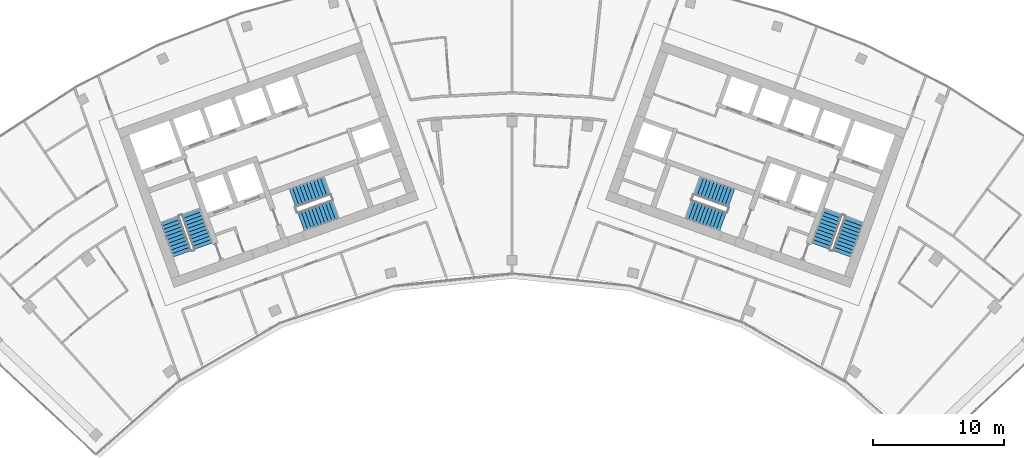
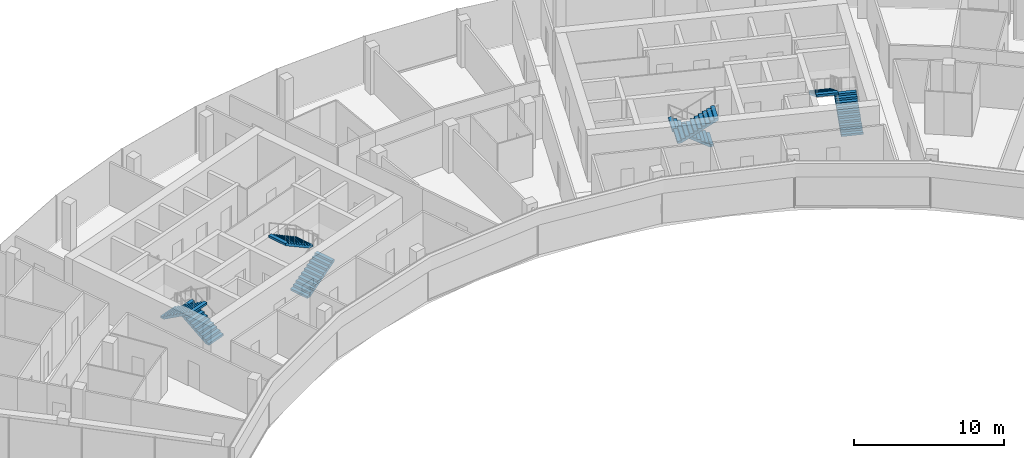
# One storey, part 17 of 18: 8 stair flights, 4 elements without a shape of their own.
"""IFC4 building model written with IfcOpenShell, lengths in metres."""

from ifc_helpers import new_model, si_unit, direction, frame, origin, place, context, subcontext, project, spatial, polyline, outline, extrude, material, type_object, element, aggregate, save


model = new_model("IFC4")

# Units and contexts
model_context = context("Model", 3, precision=1e-05, world=origin(), true_north=direction((0.0, 1.0)))
body_context = subcontext(model_context, "Body", "Model", "MODEL_VIEW")
ifc_project = project(units=[si_unit("LENGTHUNIT", "METRE"), si_unit("AREAUNIT", "SQUARE_METRE"), si_unit("VOLUMEUNIT", "CUBIC_METRE"), si_unit("PLANEANGLEUNIT", "RADIAN"), si_unit("MASSUNIT", "GRAM", prefix="KILO")], contexts=[model_context])

# Site, building, storey
site_placement = place(None, origin())
site = spatial("IfcSite", under=ifc_project, at=site_placement, CompositionType="ELEMENT")
building_placement = place(site_placement, origin())
building = spatial("IfcBuilding", under=site, at=building_placement, Name="Stone Belt Terrace Tower", CompositionType="ELEMENT")
storey_placement = place(building_placement, frame((0.0, 0.0, 299.800048828125)))
storey = spatial("IfcBuildingStorey", under=building, at=storey_placement, Name="L73", CompositionType="ELEMENT", Elevation=299.800048828125)

# Stair, stair flights
ifc_material = material(Name="Concrete B40", Category="concrete")
stair_type = type_object("IfcStairType", Name="Exit stair 1500", PredefinedType="HALF_TURN_STAIR", material=ifc_material)
stair_1_placement = place(storey_placement, origin())
stair_1 = element("IfcStair", 1, at=stair_1_placement, inside=storey, type_object=stair_type, Name="L73 Exit stair 1 core A", PredefinedType="HALF_TURN_STAIR")
stair_flight_type = type_object("IfcStairFlightType", Name="Stair flight 1500", PredefinedType="STRAIGHT", material=ifc_material)
stair_flight_1_placement = place(storey_placement, frame((-23.55322265625, 45.51318359375, 0.0), z_axis=(0.0, 0.0, 1.0), x_axis=(-0.338624396177, 0.940921632398, 0.0)))
stair_flight_1 = element("IfcStairFlight", 2, at=stair_flight_1_placement, type_object=stair_flight_type, Name="ST1A flight 1", NumberOfRisers=11, NumberOfTreads=10, PredefinedType="STRAIGHT", RiserHeight=0.172727273, TreadLength=0.28, context=body_context, shape_type="SweptSolid", body=[
    extrude(outline(polyline([(0.0, 0.0), (0.0, 0.172607421875), (0.280029296875, 0.172607421875), (0.280029296875, 0.345458984375), (0.56005859375, 0.345458984375), (0.56005859375, 0.51806640625), (0.840087890625, 0.51806640625), (0.840087890625, 0.69091796875), (1.1201171875, 0.69091796875), (1.1201171875, 0.863525390625), (1.39990234375, 0.863525390625), (1.39990234375, 1.036376953125), (1.679931640625, 1.036376953125), (1.679931640625, 1.208984375), (1.9599609375, 1.208984375), (1.9599609375, 1.3818359375), (2.239990234375, 1.3818359375), (2.239990234375, 1.554443359375), (2.52001953125, 1.554443359375), (2.52001953125, 1.727294921875), (2.800048828125, 1.727294921875), (2.800048828125, 1.89990234375), (2.800048828125, 1.551025390625), (0.285400390625, 0.0), (0.0, 0.0)])), frame((0.0, 0.75, 0.0), z_axis=(0.0, -1.0, 0.0), x_axis=(1.0, 0.0, 0.0)), (0.0, 0.0, 1.0), 1.5),
])
stair_flight_2_placement = place(storey_placement, frame((-26.10107421875, 47.572021484375, 1.89990234375), z_axis=(0.0, 0.0, 1.0), x_axis=(0.338624396177, -0.940921632398, 0.0)))
stair_flight_2 = element("IfcStairFlight", 3, at=stair_flight_2_placement, type_object=stair_flight_type, Name="ST1A flight 2", NumberOfRisers=11, NumberOfTreads=10, PredefinedType="STRAIGHT", RiserHeight=0.172727273, TreadLength=0.28, context=body_context, shape_type="SweptSolid", body=[
    extrude(outline(polyline([(0.0, 0.0), (0.0, 0.172607421875), (0.280029296875, 0.172607421875), (0.280029296875, 0.345458984375), (0.56005859375, 0.345458984375), (0.56005859375, 0.51806640625), (0.840087890625, 0.51806640625), (0.840087890625, 0.69091796875), (1.1201171875, 0.69091796875), (1.1201171875, 0.863525390625), (1.39990234375, 0.863525390625), (1.39990234375, 1.036376953125), (1.679931640625, 1.036376953125), (1.679931640625, 1.208984375), (1.9599609375, 1.208984375), (1.9599609375, 1.3818359375), (2.239990234375, 1.3818359375), (2.239990234375, 1.554443359375), (2.52001953125, 1.554443359375), (2.52001953125, 1.727294921875), (2.800048828125, 1.727294921875), (2.800048828125, 1.89990234375), (2.800048828125, 1.551025390625), (0.285400390625, 0.0), (0.0, 0.0)])), frame((0.0, 0.75, 0.0), z_axis=(0.0, -1.0, 0.0), x_axis=(1.0, 0.0, 0.0)), (0.0, 0.0, 1.0), 1.5),
])
aggregate(stair_1, [stair_flight_1, stair_flight_2])

stair_2_placement = place(storey_placement, origin())
stair_2 = element("IfcStair", 4, at=stair_2_placement, inside=storey, type_object=stair_type, Name="L73 Exit stair 2 core A", PredefinedType="HALF_TURN_STAIR")
stair_flight_3_placement = place(storey_placement, frame((-16.101318359375, 47.39794921875, 0.0), z_axis=(0.0, 0.0, 1.0), x_axis=(0.940921632398, 0.338624396177, 0.0)))
stair_flight_3 = element("IfcStairFlight", 5, at=stair_flight_3_placement, type_object=stair_flight_type, Name="ST2A flight 1", NumberOfRisers=11, NumberOfTreads=10, PredefinedType="STRAIGHT", RiserHeight=0.172727273, TreadLength=0.28, context=body_context, shape_type="SweptSolid", body=[
    extrude(outline(polyline([(0.0, 0.0), (0.0, 0.172607421875), (0.280029296875, 0.172607421875), (0.280029296875, 0.345458984375), (0.56005859375, 0.345458984375), (0.56005859375, 0.51806640625), (0.840087890625, 0.51806640625), (0.840087890625, 0.69091796875), (1.1201171875, 0.69091796875), (1.1201171875, 0.863525390625), (1.39990234375, 0.863525390625), (1.39990234375, 1.036376953125), (1.679931640625, 1.036376953125), (1.679931640625, 1.208984375), (1.9599609375, 1.208984375), (1.9599609375, 1.3818359375), (2.239990234375, 1.3818359375), (2.239990234375, 1.554443359375), (2.52001953125, 1.554443359375), (2.52001953125, 1.727294921875), (2.800048828125, 1.727294921875), (2.800048828125, 1.89990234375), (2.800048828125, 1.551025390625), (0.285400390625, 0.0), (0.0, 0.0)])), frame((0.0, 0.75, 0.0), z_axis=(0.0, -1.0, 0.0), x_axis=(1.0, 0.0, 0.0)), (0.0, 0.0, 1.0), 1.5),
])
stair_flight_4_placement = place(storey_placement, frame((-14.110107421875, 50.1337890625, 1.89990234375), z_axis=(0.0, 0.0, 1.0), x_axis=(-0.940921632398, -0.338624396177, 0.0)))
stair_flight_4 = element("IfcStairFlight", 6, at=stair_flight_4_placement, type_object=stair_flight_type, Name="ST2A flight 2", NumberOfRisers=11, NumberOfTreads=10, PredefinedType="STRAIGHT", RiserHeight=0.172727273, TreadLength=0.28, context=body_context, shape_type="SweptSolid", body=[
    extrude(outline(polyline([(0.0, 0.0), (0.0, 0.172607421875), (0.280029296875, 0.172607421875), (0.280029296875, 0.345458984375), (0.56005859375, 0.345458984375), (0.56005859375, 0.51806640625), (0.840087890625, 0.51806640625), (0.840087890625, 0.69091796875), (1.1201171875, 0.69091796875), (1.1201171875, 0.863525390625), (1.39990234375, 0.863525390625), (1.39990234375, 1.036376953125), (1.679931640625, 1.036376953125), (1.679931640625, 1.208984375), (1.9599609375, 1.208984375), (1.9599609375, 1.3818359375), (2.239990234375, 1.3818359375), (2.239990234375, 1.554443359375), (2.52001953125, 1.554443359375), (2.52001953125, 1.727294921875), (2.800048828125, 1.727294921875), (2.800048828125, 1.89990234375), (2.800048828125, 1.551025390625), (0.285400390625, 0.0), (0.0, 0.0)])), frame((0.0, 0.75, 0.0), z_axis=(0.0, -1.0, 0.0), x_axis=(1.0, 0.0, 0.0)), (0.0, 0.0, 1.0), 1.5),
])
aggregate(stair_2, [stair_flight_3, stair_flight_4])

stair_3_placement = place(storey_placement, origin())
stair_3 = element("IfcStair", 7, at=stair_3_placement, inside=storey, type_object=stair_type, Name="L73 Exit stair 1 core B", PredefinedType="HALF_TURN_STAIR")
stair_flight_5_placement = place(storey_placement, frame((25.15283203125, 44.9375, 0.0), z_axis=(0.0, 0.0, 1.0), x_axis=(0.338624396177, 0.940921632398, 0.0)))
stair_flight_5 = element("IfcStairFlight", 8, at=stair_flight_5_placement, type_object=stair_flight_type, Name="ST1B flight 1", NumberOfRisers=11, NumberOfTreads=10, PredefinedType="STRAIGHT", RiserHeight=0.172727273, TreadLength=0.28, context=body_context, shape_type="SweptSolid", body=[
    extrude(outline(polyline([(0.0, 0.0), (0.0, 0.172607421875), (0.280029296875, 0.172607421875), (0.280029296875, 0.345458984375), (0.56005859375, 0.345458984375), (0.56005859375, 0.51806640625), (0.840087890625, 0.51806640625), (0.840087890625, 0.69091796875), (1.1201171875, 0.69091796875), (1.1201171875, 0.863525390625), (1.39990234375, 0.863525390625), (1.39990234375, 1.036376953125), (1.679931640625, 1.036376953125), (1.679931640625, 1.208984375), (1.9599609375, 1.208984375), (1.9599609375, 1.3818359375), (2.239990234375, 1.3818359375), (2.239990234375, 1.554443359375), (2.52001953125, 1.554443359375), (2.52001953125, 1.727294921875), (2.800048828125, 1.727294921875), (2.800048828125, 1.89990234375), (2.800048828125, 1.551025390625), (0.285400390625, 0.0), (0.0, 0.0)])), frame((0.0, 0.75, 0.0), z_axis=(0.0, -1.0, 0.0), x_axis=(1.0, 0.0, 0.0)), (0.0, 0.0, 1.0), 1.5),
])
stair_flight_6_placement = place(storey_placement, frame((24.50146484375, 48.147705078125, 1.89990234375), z_axis=(0.0, 0.0, 1.0), x_axis=(-0.338624396177, -0.940921632398, 0.0)))
stair_flight_6 = element("IfcStairFlight", 9, at=stair_flight_6_placement, type_object=stair_flight_type, Name="ST1B flight 2", NumberOfRisers=11, NumberOfTreads=10, PredefinedType="STRAIGHT", RiserHeight=0.172727273, TreadLength=0.28, context=body_context, shape_type="SweptSolid", body=[
    extrude(outline(polyline([(0.0, 0.0), (0.0, 0.172607421875), (0.280029296875, 0.172607421875), (0.280029296875, 0.345458984375), (0.56005859375, 0.345458984375), (0.56005859375, 0.51806640625), (0.840087890625, 0.51806640625), (0.840087890625, 0.69091796875), (1.1201171875, 0.69091796875), (1.1201171875, 0.863525390625), (1.39990234375, 0.863525390625), (1.39990234375, 1.036376953125), (1.679931640625, 1.036376953125), (1.679931640625, 1.208984375), (1.9599609375, 1.208984375), (1.9599609375, 1.3818359375), (2.239990234375, 1.3818359375), (2.239990234375, 1.554443359375), (2.52001953125, 1.554443359375), (2.52001953125, 1.727294921875), (2.800048828125, 1.727294921875), (2.800048828125, 1.89990234375), (2.800048828125, 1.551025390625), (0.285400390625, 0.0), (0.0, 0.0)])), frame((0.0, 0.75, 0.0), z_axis=(0.0, -1.0, 0.0), x_axis=(1.0, 0.0, 0.0)), (0.0, 0.0, 1.0), 1.5),
])
aggregate(stair_3, [stair_flight_5, stair_flight_6])

stair_4_placement = place(storey_placement, origin())
stair_4 = element("IfcStair", 10, at=stair_4_placement, inside=storey, type_object=stair_type, Name="L73 Exit stair 2 core B", PredefinedType="HALF_TURN_STAIR")
stair_flight_7_placement = place(storey_placement, frame((16.74462890625, 49.185546875, 0.0), z_axis=(0.0, 0.0, 1.0), x_axis=(-0.940921632398, 0.338624396177, 0.0)))
stair_flight_7 = element("IfcStairFlight", 11, at=stair_flight_7_placement, type_object=stair_flight_type, Name="ST2B flight 1", NumberOfRisers=11, NumberOfTreads=10, PredefinedType="STRAIGHT", RiserHeight=0.172727273, TreadLength=0.28, context=body_context, shape_type="SweptSolid", body=[
    extrude(outline(polyline([(0.0, 0.0), (0.0, 0.172607421875), (0.280029296875, 0.172607421875), (0.280029296875, 0.345458984375), (0.56005859375, 0.345458984375), (0.56005859375, 0.51806640625), (0.840087890625, 0.51806640625), (0.840087890625, 0.69091796875), (1.1201171875, 0.69091796875), (1.1201171875, 0.863525390625), (1.39990234375, 0.863525390625), (1.39990234375, 1.036376953125), (1.679931640625, 1.036376953125), (1.679931640625, 1.208984375), (1.9599609375, 1.208984375), (1.9599609375, 1.3818359375), (2.239990234375, 1.3818359375), (2.239990234375, 1.554443359375), (2.52001953125, 1.554443359375), (2.52001953125, 1.727294921875), (2.800048828125, 1.727294921875), (2.800048828125, 1.89990234375), (2.800048828125, 1.551025390625), (0.285400390625, 0.0), (0.0, 0.0)])), frame((0.0, 0.75, 0.0), z_axis=(0.0, -1.0, 0.0), x_axis=(1.0, 0.0, 0.0)), (0.0, 0.0, 1.0), 1.5),
])
stair_flight_8_placement = place(storey_placement, frame((13.466796875, 48.345947265625, 1.89990234375), z_axis=(0.0, 0.0, 1.0), x_axis=(0.940921632398, -0.338624396177, 0.0)))
stair_flight_8 = element("IfcStairFlight", 12, at=stair_flight_8_placement, type_object=stair_flight_type, Name="ST2B flight 2", NumberOfRisers=11, NumberOfTreads=10, PredefinedType="STRAIGHT", RiserHeight=0.172727273, TreadLength=0.28, context=body_context, shape_type="SweptSolid", body=[
    extrude(outline(polyline([(0.0, 0.0), (0.0, 0.172607421875), (0.280029296875, 0.172607421875), (0.280029296875, 0.345458984375), (0.56005859375, 0.345458984375), (0.56005859375, 0.51806640625), (0.840087890625, 0.51806640625), (0.840087890625, 0.69091796875), (1.1201171875, 0.69091796875), (1.1201171875, 0.863525390625), (1.39990234375, 0.863525390625), (1.39990234375, 1.036376953125), (1.679931640625, 1.036376953125), (1.679931640625, 1.208984375), (1.9599609375, 1.208984375), (1.9599609375, 1.3818359375), (2.239990234375, 1.3818359375), (2.239990234375, 1.554443359375), (2.52001953125, 1.554443359375), (2.52001953125, 1.727294921875), (2.800048828125, 1.727294921875), (2.800048828125, 1.89990234375), (2.800048828125, 1.551025390625), (0.285400390625, 0.0), (0.0, 0.0)])), frame((0.0, 0.75, 0.0), z_axis=(0.0, -1.0, 0.0), x_axis=(1.0, 0.0, 0.0)), (0.0, 0.0, 1.0), 1.5),
])
aggregate(stair_4, [stair_flight_7, stair_flight_8])

save(model, "model.ifc")
